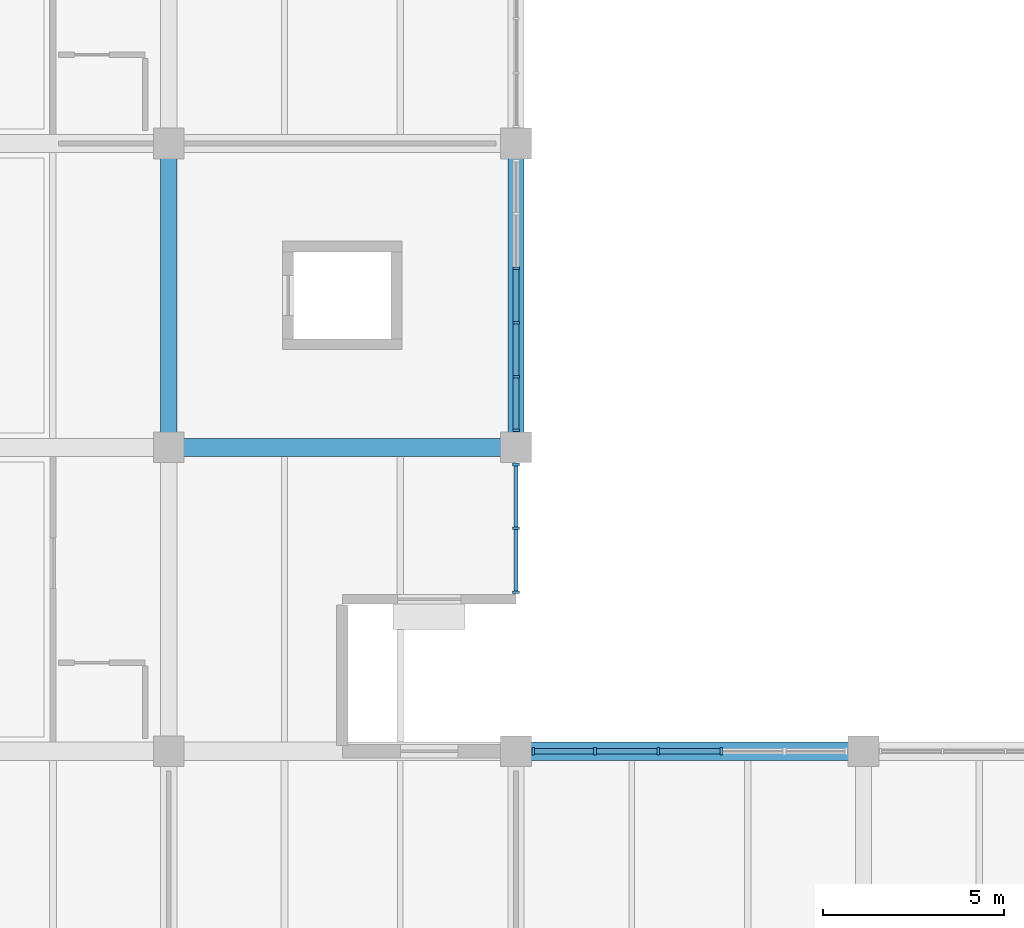
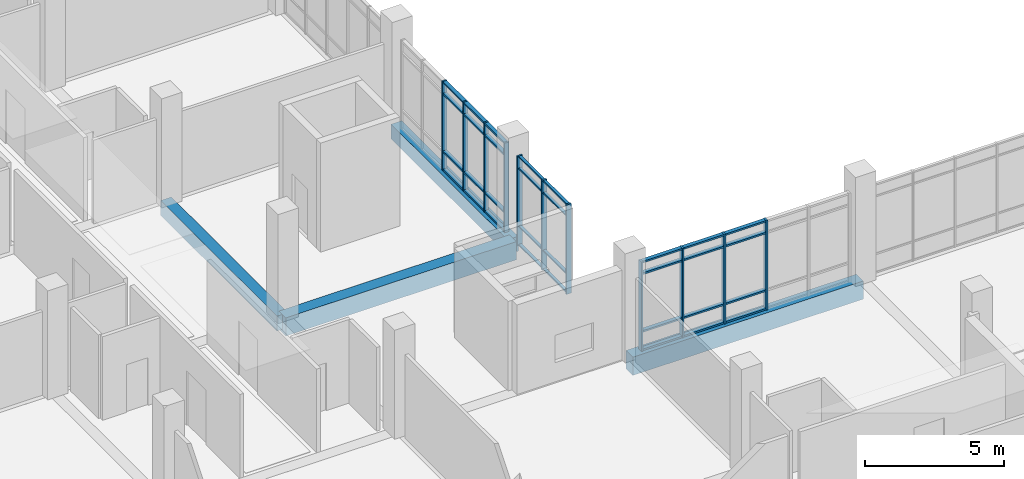
# One storey, part 16 of 152: 43 members, 4 beams, 3 elements without a shape of their own.
"""IFC4 building model written with IfcOpenShell, lengths in metres."""

from ifc_helpers import new_model, si_unit, direction, frame, origin, origin_2d, place, context, subcontext, project, spatial, rectangle, extrude, material, material_profile, profile_set, type_object, element, aggregate, save


model = new_model("IFC4")

# Units and contexts
model_context = context("Model", 3, precision=1e-05, world=origin(), true_north=direction((0.0, 1.0)))
body_context = subcontext(model_context, "Body", "Model", "MODEL_VIEW")
ifc_project = project(units=[si_unit("LENGTHUNIT", "METRE"), si_unit("AREAUNIT", "SQUARE_METRE"), si_unit("VOLUMEUNIT", "CUBIC_METRE"), si_unit("PLANEANGLEUNIT", "RADIAN"), si_unit("MASSUNIT", "GRAM", prefix="KILO")], contexts=[model_context])

# Site, building, storey
site_placement = place(None, origin())
site = spatial("IfcSite", under=ifc_project, at=site_placement, CompositionType="ELEMENT")
building_placement = place(site_placement, origin())
building = spatial("IfcBuilding", under=site, at=building_placement, Name="Oolite Switchyard Hospital", CompositionType="ELEMENT")
storey_placement = place(building_placement, frame((0.0, 0.0, 5.10009765625)))
storey = spatial("IfcBuildingStorey", under=building, at=storey_placement, Name="L01", CompositionType="ELEMENT", Elevation=5.10009765625)

# Beams
ifc_material_1 = material(Name="Concrete C40/50", Category="concrete")
ifc_material_profile_1 = material_profile(ifc_material_1, rectangle(XDim=0.449951171875, YDim=0.64990234375, at=origin_2d()), Name="RCB450X650")
ifc_profile_set_1 = profile_set([ifc_material_profile_1], Name="Concrete C40/50")
beam_type_1 = type_object("IfcBeamType", Name="BM-RC450X650", PredefinedType="BEAM", material=ifc_profile_set_1)
for number, where, z_axis, x_axis, name in (
    (1, (48.0, 42.0, -0.3251953125), (0.0, 1.0, 0.0), (-1.0, 0.0, 0.0), "L01 Y-Girder 371"),
    (2, (57.60009765625, 42.0, -0.3251953125), (0.0, 1.0, 0.0), (-1.0, 0.0, 0.0), "L01 Y-Girder 386"),
):
    element("IfcBeam", number, at=place(storey_placement, frame(where, z_axis=z_axis, x_axis=x_axis)), inside=storey, type_object=beam_type_1, Name=name, PredefinedType="BEAM", context=body_context, shape_type="SweptSolid", body=[
        extrude(rectangle(XDim=0.449951171875, YDim=0.64990234375, at=origin_2d()), origin(), (0.0, 0.0, 1.0), 8.39990234375),
    ])
ifc_material_profile_2 = material_profile(ifc_material_1, rectangle(XDim=0.5, YDim=0.800048828125, at=origin_2d()), Name="RCB500X800")
ifc_profile_set_2 = profile_set([ifc_material_profile_2], Name="Concrete C40/50")
beam_type_2 = type_object("IfcBeamType", Name="BM-RC500X800", PredefinedType="BEAM", material=ifc_profile_set_2)
beam_1_placement = place(storey_placement, frame((57.60009765625, 33.60009765625, -0.400146484375), z_axis=(1.0, 0.0, 0.0), x_axis=(0.0, 1.0, 0.0)))
element("IfcBeam", 3, at=beam_1_placement, inside=storey, type_object=beam_type_2, Name="L01 X-Girder 68", PredefinedType="BEAM", context=body_context, shape_type="SweptSolid", body=[
    extrude(rectangle(XDim=0.5, YDim=0.800048828125, at=origin_2d()), origin(), (0.0, 0.0, 1.0), 9.599853515625),
])
beam_2_placement = place(storey_placement, frame((48.0, 42.0, -0.400146484375), z_axis=(1.0, 0.0, 0.0), x_axis=(0.0, 1.0, 0.0)))
element("IfcBeam", 4, at=beam_2_placement, inside=storey, type_object=beam_type_2, Name="L01 X-Girder 89", PredefinedType="BEAM", context=body_context, shape_type="SweptSolid", body=[
    extrude(rectangle(XDim=0.5, YDim=0.800048828125, at=origin_2d()), origin(), (0.0, 0.0, 1.0), 9.60009765625),
])

# Curtain wall, members
ifc_material_2 = material(Name="Thermally broken aluminum frame with laminated impact glazing", Category="aluminium")
curtain_wall_type_1 = type_object("IfcCurtainWallType", Name="CW-UNIT-84X48", PredefinedType="USERDEFINED", material=ifc_material_2)
curtain_wall_1_placement = place(storey_placement, origin())
curtain_wall_1 = element("IfcCurtainWall", 5, at=curtain_wall_1_placement, inside=storey, type_object=curtain_wall_type_1, Name="L01 Unitised Curtain Wall 171", ObjectType="UNITISED", PredefinedType="USERDEFINED")
ifc_material_3 = material(Name="Aluminium 6063-T6", Category="aluminium")
ifc_material_profile_3 = material_profile(ifc_material_3, rectangle(XDim=0.179931640625, YDim=0.070068359375, at=origin_2d()), Name="CWM70X180")
ifc_profile_set_3 = profile_set([ifc_material_profile_3], Name="Aluminium 6063-T6")
member_type_1 = type_object("IfcMemberType", Name="CW-MUL-220", PredefinedType="MULLION", material=ifc_profile_set_3)
member_1_placement = place(storey_placement, frame((57.60009765625, 46.951904296875, 0.0), z_axis=(0.0, 0.0, 1.0), x_axis=(1.0, 0.0, 0.0)))
member_1 = element("IfcMember", 6, at=member_1_placement, type_object=member_type_1, Name="CW-07 mullion 3", PredefinedType="MULLION", context=body_context, shape_type="SweptSolid", body=[
    extrude(rectangle(XDim=0.179931640625, YDim=0.070068359375, at=origin_2d()), origin(), (0.0, 0.0, 1.0), 3.93994140625),
])
member_2_placement = place(storey_placement, frame((57.60009765625, 45.447998046875, 0.0), z_axis=(0.0, 0.0, 1.0), x_axis=(1.0, 0.0, 0.0)))
member_2 = element("IfcMember", 7, at=member_2_placement, type_object=member_type_1, Name="CW-07 mullion 4", PredefinedType="MULLION", context=body_context, shape_type="SweptSolid", body=[
    extrude(rectangle(XDim=0.179931640625, YDim=0.070068359375, at=origin_2d()), origin(), (0.0, 0.0, 1.0), 3.93994140625),
])
member_3_placement = place(storey_placement, frame((57.60009765625, 43.944091796875, 0.0), z_axis=(0.0, 0.0, 1.0), x_axis=(1.0, 0.0, 0.0)))
member_3 = element("IfcMember", 8, at=member_3_placement, type_object=member_type_1, Name="CW-07 mullion 5", PredefinedType="MULLION", context=body_context, shape_type="SweptSolid", body=[
    extrude(rectangle(XDim=0.179931640625, YDim=0.070068359375, at=origin_2d()), origin(), (0.0, 0.0, 1.0), 3.93994140625),
])
member_4_placement = place(storey_placement, frame((57.60009765625, 42.47509765625, 0.0), z_axis=(0.0, 0.0, 1.0), x_axis=(1.0, 0.0, 0.0)))
member_4 = element("IfcMember", 9, at=member_4_placement, type_object=member_type_1, Name="CW-07 mullion 6", PredefinedType="MULLION", context=body_context, shape_type="SweptSolid", body=[
    extrude(rectangle(XDim=0.179931640625, YDim=0.070068359375, at=origin_2d()), origin(), (0.0, 0.0, 1.0), 3.93994140625),
])

curtain_wall_type_2 = type_object("IfcCurtainWallType", Name="CW-UNIT-96X48", PredefinedType="USERDEFINED", material=ifc_material_2)
curtain_wall_2_placement = place(storey_placement, origin())
curtain_wall_2 = element("IfcCurtainWall", 10, at=curtain_wall_2_placement, inside=storey, type_object=curtain_wall_type_2, Name="L01 Unitised Curtain Wall 109", ObjectType="UNITISED", PredefinedType="USERDEFINED")
ifc_material_profile_4 = material_profile(ifc_material_3, rectangle(XDim=0.199951171875, YDim=0.074951171875, at=origin_2d()), Name="CWM75X200")
ifc_profile_set_4 = profile_set([ifc_material_profile_4], Name="Aluminium 6063-T6")
member_type_2 = type_object("IfcMemberType", Name="CW-MUL-260", PredefinedType="MULLION", material=ifc_profile_set_4)
member_5_placement = place(storey_placement, frame((58.077392578125, 33.60009765625, 0.0), z_axis=(0.0, 0.0, 1.0), x_axis=(0.0, 1.0, 0.0)))
member_5 = element("IfcMember", 11, at=member_5_placement, type_object=member_type_2, Name="CW-02 mullion 1", PredefinedType="MULLION", context=body_context, shape_type="SweptSolid", body=[
    extrude(rectangle(XDim=0.199951171875, YDim=0.074951171875, at=origin_2d()), origin(), (0.0, 0.0, 1.0), 3.93994140625),
])
member_6_placement = place(storey_placement, frame((59.783935546875, 33.60009765625, 0.0), z_axis=(0.0, 0.0, 1.0), x_axis=(0.0, 1.0, 0.0)))
member_6 = element("IfcMember", 12, at=member_6_placement, type_object=member_type_2, Name="CW-02 mullion 2", PredefinedType="MULLION", context=body_context, shape_type="SweptSolid", body=[
    extrude(rectangle(XDim=0.199951171875, YDim=0.074951171875, at=origin_2d()), origin(), (0.0, 0.0, 1.0), 3.93994140625),
])
member_7_placement = place(storey_placement, frame((61.528076171875, 33.60009765625, 0.0), z_axis=(0.0, 0.0, 1.0), x_axis=(0.0, 1.0, 0.0)))
member_7 = element("IfcMember", 13, at=member_7_placement, type_object=member_type_2, Name="CW-02 mullion 3", PredefinedType="MULLION", context=body_context, shape_type="SweptSolid", body=[
    extrude(rectangle(XDim=0.199951171875, YDim=0.074951171875, at=origin_2d()), origin(), (0.0, 0.0, 1.0), 3.93994140625),
])
member_8_placement = place(storey_placement, frame((63.27197265625, 33.60009765625, 0.0), z_axis=(0.0, 0.0, 1.0), x_axis=(0.0, 1.0, 0.0)))
member_8 = element("IfcMember", 14, at=member_8_placement, type_object=member_type_2, Name="CW-02 mullion 4", PredefinedType="MULLION", context=body_context, shape_type="SweptSolid", body=[
    extrude(rectangle(XDim=0.199951171875, YDim=0.074951171875, at=origin_2d()), origin(), (0.0, 0.0, 1.0), 3.93994140625),
])

curtain_wall_3_placement = place(storey_placement, origin())
curtain_wall_3 = element("IfcCurtainWall", 15, at=curtain_wall_3_placement, inside=storey, type_object=curtain_wall_type_1, Name="L01 Unitised Curtain Wall 172", ObjectType="UNITISED", PredefinedType="USERDEFINED")
member_9_placement = place(storey_placement, frame((57.60009765625, 41.5224609375, 0.0), z_axis=(0.0, 0.0, 1.0), x_axis=(1.0, 0.0, 0.0)))
member_9 = element("IfcMember", 16, at=member_9_placement, type_object=member_type_2, Name="CW-07 mullion 1", PredefinedType="MULLION", context=body_context, shape_type="SweptSolid", body=[
    extrude(rectangle(XDim=0.199951171875, YDim=0.074951171875, at=origin_2d()), origin(), (0.0, 0.0, 1.0), 3.93994140625),
])
member_10_placement = place(storey_placement, frame((57.60009765625, 39.760009765625, 0.0), z_axis=(0.0, 0.0, 1.0), x_axis=(1.0, 0.0, 0.0)))
member_10 = element("IfcMember", 17, at=member_10_placement, type_object=member_type_2, Name="CW-07 mullion 2", PredefinedType="MULLION", context=body_context, shape_type="SweptSolid", body=[
    extrude(rectangle(XDim=0.199951171875, YDim=0.074951171875, at=origin_2d()), origin(), (0.0, 0.0, 1.0), 3.93994140625),
])
member_11_placement = place(storey_placement, frame((57.60009765625, 37.99755859375, 0.0), z_axis=(0.0, 0.0, 1.0), x_axis=(1.0, 0.0, 0.0)))
member_11 = element("IfcMember", 18, at=member_11_placement, type_object=member_type_2, Name="CW-07 mullion 3", PredefinedType="MULLION", context=body_context, shape_type="SweptSolid", body=[
    extrude(rectangle(XDim=0.199951171875, YDim=0.074951171875, at=origin_2d()), origin(), (0.0, 0.0, 1.0), 3.93994140625),
])
ifc_material_profile_5 = material_profile(ifc_material_3, rectangle(XDim=0.1201171875, YDim=0.06005859375, at=origin_2d()), Name="CWT60X120")
ifc_profile_set_5 = profile_set([ifc_material_profile_5], Name="Aluminium 6063-T6")
member_type_3 = type_object("IfcMemberType", Name="CW-TRN-150", PredefinedType="USERDEFINED", material=ifc_profile_set_5)
member_12_placement = place(storey_placement, frame((57.60009765625, 41.485107421875, 0.02978515625), z_axis=(0.0, -1.0, 0.0), x_axis=(1.0, 0.0, 0.0)))
member_12 = element("IfcMember", 19, at=member_12_placement, type_object=member_type_3, Name="CW-07 transom 1.1", ObjectType="TRANSOM", PredefinedType="USERDEFINED", context=body_context, shape_type="SweptSolid", body=[
    extrude(rectangle(XDim=0.1201171875, YDim=0.06005859375, at=origin_2d()), origin(), (0.0, 0.0, 1.0), 1.6875),
])
member_13_placement = place(storey_placement, frame((57.60009765625, 41.485107421875, 0.849853515625), z_axis=(0.0, -1.0, 0.0), x_axis=(1.0, 0.0, 0.0)))
member_13 = element("IfcMember", 20, at=member_13_placement, type_object=member_type_3, Name="CW-07 transom 1.2", ObjectType="TRANSOM", PredefinedType="USERDEFINED", context=body_context, shape_type="SweptSolid", body=[
    extrude(rectangle(XDim=0.1201171875, YDim=0.06005859375, at=origin_2d()), origin(), (0.0, 0.0, 1.0), 1.6875),
])
member_14_placement = place(storey_placement, frame((57.60009765625, 41.485107421875, 3.389892578125), z_axis=(0.0, -1.0, 0.0), x_axis=(1.0, 0.0, 0.0)))
member_14 = element("IfcMember", 21, at=member_14_placement, type_object=member_type_3, Name="CW-07 transom 1.3", ObjectType="TRANSOM", PredefinedType="USERDEFINED", context=body_context, shape_type="SweptSolid", body=[
    extrude(rectangle(XDim=0.1201171875, YDim=0.06005859375, at=origin_2d()), origin(), (0.0, 0.0, 1.0), 1.6875),
])
member_15_placement = place(storey_placement, frame((57.60009765625, 41.485107421875, 3.909912109375), z_axis=(0.0, -1.0, 0.0), x_axis=(1.0, 0.0, 0.0)))
member_15 = element("IfcMember", 22, at=member_15_placement, type_object=member_type_3, Name="CW-07 transom 1.4", ObjectType="TRANSOM", PredefinedType="USERDEFINED", context=body_context, shape_type="SweptSolid", body=[
    extrude(rectangle(XDim=0.1201171875, YDim=0.06005859375, at=origin_2d()), origin(), (0.0, 0.0, 1.0), 1.6875),
])
member_16_placement = place(storey_placement, frame((57.60009765625, 39.722412109375, 0.02978515625), z_axis=(0.0, -1.0, 0.0), x_axis=(1.0, 0.0, 0.0)))
member_16 = element("IfcMember", 23, at=member_16_placement, type_object=member_type_3, Name="CW-07 transom 2.1", ObjectType="TRANSOM", PredefinedType="USERDEFINED", context=body_context, shape_type="SweptSolid", body=[
    extrude(rectangle(XDim=0.1201171875, YDim=0.06005859375, at=origin_2d()), origin(), (0.0, 0.0, 1.0), 1.6875),
])
member_17_placement = place(storey_placement, frame((57.60009765625, 39.722412109375, 0.849853515625), z_axis=(0.0, -1.0, 0.0), x_axis=(1.0, 0.0, 0.0)))
member_17 = element("IfcMember", 24, at=member_17_placement, type_object=member_type_3, Name="CW-07 transom 2.2", ObjectType="TRANSOM", PredefinedType="USERDEFINED", context=body_context, shape_type="SweptSolid", body=[
    extrude(rectangle(XDim=0.1201171875, YDim=0.06005859375, at=origin_2d()), origin(), (0.0, 0.0, 1.0), 1.6875),
])
member_18_placement = place(storey_placement, frame((57.60009765625, 39.722412109375, 3.389892578125), z_axis=(0.0, -1.0, 0.0), x_axis=(1.0, 0.0, 0.0)))
member_18 = element("IfcMember", 25, at=member_18_placement, type_object=member_type_3, Name="CW-07 transom 2.3", ObjectType="TRANSOM", PredefinedType="USERDEFINED", context=body_context, shape_type="SweptSolid", body=[
    extrude(rectangle(XDim=0.1201171875, YDim=0.06005859375, at=origin_2d()), origin(), (0.0, 0.0, 1.0), 1.6875),
])
member_19_placement = place(storey_placement, frame((57.60009765625, 39.722412109375, 3.909912109375), z_axis=(0.0, -1.0, 0.0), x_axis=(1.0, 0.0, 0.0)))
member_19 = element("IfcMember", 26, at=member_19_placement, type_object=member_type_3, Name="CW-07 transom 2.4", ObjectType="TRANSOM", PredefinedType="USERDEFINED", context=body_context, shape_type="SweptSolid", body=[
    extrude(rectangle(XDim=0.1201171875, YDim=0.06005859375, at=origin_2d()), origin(), (0.0, 0.0, 1.0), 1.6875),
])
aggregate(curtain_wall_3, [member_9, member_10, member_11, member_12, member_13, member_14, member_15, member_16, member_17, member_18, member_19])

# Member
ifc_material_profile_6 = material_profile(ifc_material_3, rectangle(XDim=0.159912109375, YDim=0.074951171875, at=origin_2d()), Name="CWT75X160")
ifc_profile_set_6 = profile_set([ifc_material_profile_6], Name="Aluminium 6063-T6")
member_type_4 = type_object("IfcMemberType", Name="CW-TRN-180", PredefinedType="USERDEFINED", material=ifc_profile_set_6)
member_20_placement = place(storey_placement, frame((58.114990234375, 33.60009765625, 0.037353515625), z_axis=(1.0, 0.0, 0.0), x_axis=(0.0, 1.0, 0.0)))
member_20 = element("IfcMember", 27, at=member_20_placement, type_object=member_type_4, Name="CW-02 transom 1.1", ObjectType="TRANSOM", PredefinedType="USERDEFINED", context=body_context, shape_type="SweptSolid", body=[
    extrude(rectangle(XDim=0.159912109375, YDim=0.074951171875, at=origin_2d()), origin(), (0.0, 0.0, 1.0), 1.631591796875),
])

member_21_placement = place(storey_placement, frame((58.114990234375, 33.60009765625, 0.849853515625), z_axis=(1.0, 0.0, 0.0), x_axis=(0.0, 1.0, 0.0)))
member_21 = element("IfcMember", 28, at=member_21_placement, type_object=member_type_4, Name="CW-02 transom 1.2", ObjectType="TRANSOM", PredefinedType="USERDEFINED", context=body_context, shape_type="SweptSolid", body=[
    extrude(rectangle(XDim=0.159912109375, YDim=0.074951171875, at=origin_2d()), origin(), (0.0, 0.0, 1.0), 1.631591796875),
])

member_22_placement = place(storey_placement, frame((58.114990234375, 33.60009765625, 3.389892578125), z_axis=(1.0, 0.0, 0.0), x_axis=(0.0, 1.0, 0.0)))
member_22 = element("IfcMember", 29, at=member_22_placement, type_object=member_type_4, Name="CW-02 transom 1.3", ObjectType="TRANSOM", PredefinedType="USERDEFINED", context=body_context, shape_type="SweptSolid", body=[
    extrude(rectangle(XDim=0.159912109375, YDim=0.074951171875, at=origin_2d()), origin(), (0.0, 0.0, 1.0), 1.631591796875),
])

member_23_placement = place(storey_placement, frame((58.114990234375, 33.60009765625, 3.90234375), z_axis=(1.0, 0.0, 0.0), x_axis=(0.0, 1.0, 0.0)))
member_23 = element("IfcMember", 30, at=member_23_placement, type_object=member_type_4, Name="CW-02 transom 1.4", ObjectType="TRANSOM", PredefinedType="USERDEFINED", context=body_context, shape_type="SweptSolid", body=[
    extrude(rectangle(XDim=0.159912109375, YDim=0.074951171875, at=origin_2d()), origin(), (0.0, 0.0, 1.0), 1.631591796875),
])

member_24_placement = place(storey_placement, frame((59.821533203125, 33.60009765625, 0.037353515625), z_axis=(1.0, 0.0, 0.0), x_axis=(0.0, 1.0, 0.0)))
member_24 = element("IfcMember", 31, at=member_24_placement, type_object=member_type_4, Name="CW-02 transom 2.1", ObjectType="TRANSOM", PredefinedType="USERDEFINED", context=body_context, shape_type="SweptSolid", body=[
    extrude(rectangle(XDim=0.159912109375, YDim=0.074951171875, at=origin_2d()), origin(), (0.0, 0.0, 1.0), 1.6689453125),
])

member_25_placement = place(storey_placement, frame((59.821533203125, 33.60009765625, 0.849853515625), z_axis=(1.0, 0.0, 0.0), x_axis=(0.0, 1.0, 0.0)))
member_25 = element("IfcMember", 32, at=member_25_placement, type_object=member_type_4, Name="CW-02 transom 2.2", ObjectType="TRANSOM", PredefinedType="USERDEFINED", context=body_context, shape_type="SweptSolid", body=[
    extrude(rectangle(XDim=0.159912109375, YDim=0.074951171875, at=origin_2d()), origin(), (0.0, 0.0, 1.0), 1.6689453125),
])

member_26_placement = place(storey_placement, frame((59.821533203125, 33.60009765625, 3.389892578125), z_axis=(1.0, 0.0, 0.0), x_axis=(0.0, 1.0, 0.0)))
member_26 = element("IfcMember", 33, at=member_26_placement, type_object=member_type_4, Name="CW-02 transom 2.3", ObjectType="TRANSOM", PredefinedType="USERDEFINED", context=body_context, shape_type="SweptSolid", body=[
    extrude(rectangle(XDim=0.159912109375, YDim=0.074951171875, at=origin_2d()), origin(), (0.0, 0.0, 1.0), 1.6689453125),
])

member_27_placement = place(storey_placement, frame((59.821533203125, 33.60009765625, 3.90234375), z_axis=(1.0, 0.0, 0.0), x_axis=(0.0, 1.0, 0.0)))
member_27 = element("IfcMember", 34, at=member_27_placement, type_object=member_type_4, Name="CW-02 transom 2.4", ObjectType="TRANSOM", PredefinedType="USERDEFINED", context=body_context, shape_type="SweptSolid", body=[
    extrude(rectangle(XDim=0.159912109375, YDim=0.074951171875, at=origin_2d()), origin(), (0.0, 0.0, 1.0), 1.6689453125),
])

member_28_placement = place(storey_placement, frame((61.5654296875, 33.60009765625, 0.037353515625), z_axis=(1.0, 0.0, 0.0), x_axis=(0.0, 1.0, 0.0)))
member_28 = element("IfcMember", 35, at=member_28_placement, type_object=member_type_4, Name="CW-02 transom 3.1", ObjectType="TRANSOM", PredefinedType="USERDEFINED", context=body_context, shape_type="SweptSolid", body=[
    extrude(rectangle(XDim=0.159912109375, YDim=0.074951171875, at=origin_2d()), origin(), (0.0, 0.0, 1.0), 1.669189453125),
])

member_29_placement = place(storey_placement, frame((61.5654296875, 33.60009765625, 0.849853515625), z_axis=(1.0, 0.0, 0.0), x_axis=(0.0, 1.0, 0.0)))
member_29 = element("IfcMember", 36, at=member_29_placement, type_object=member_type_4, Name="CW-02 transom 3.2", ObjectType="TRANSOM", PredefinedType="USERDEFINED", context=body_context, shape_type="SweptSolid", body=[
    extrude(rectangle(XDim=0.159912109375, YDim=0.074951171875, at=origin_2d()), origin(), (0.0, 0.0, 1.0), 1.669189453125),
])

member_30_placement = place(storey_placement, frame((61.5654296875, 33.60009765625, 3.389892578125), z_axis=(1.0, 0.0, 0.0), x_axis=(0.0, 1.0, 0.0)))
member_30 = element("IfcMember", 37, at=member_30_placement, type_object=member_type_4, Name="CW-02 transom 3.3", ObjectType="TRANSOM", PredefinedType="USERDEFINED", context=body_context, shape_type="SweptSolid", body=[
    extrude(rectangle(XDim=0.159912109375, YDim=0.074951171875, at=origin_2d()), origin(), (0.0, 0.0, 1.0), 1.669189453125),
])

member_31_placement = place(storey_placement, frame((61.5654296875, 33.60009765625, 3.90234375), z_axis=(1.0, 0.0, 0.0), x_axis=(0.0, 1.0, 0.0)))
member_31 = element("IfcMember", 38, at=member_31_placement, type_object=member_type_4, Name="CW-02 transom 3.4", ObjectType="TRANSOM", PredefinedType="USERDEFINED", context=body_context, shape_type="SweptSolid", body=[
    extrude(rectangle(XDim=0.159912109375, YDim=0.074951171875, at=origin_2d()), origin(), (0.0, 0.0, 1.0), 1.669189453125),
])

aggregate(curtain_wall_2, [member_5, member_6, member_7, member_8, member_20, member_21, member_22, member_23, member_24, member_25, member_26, member_27, member_28, member_29, member_30, member_31])

member_32_placement = place(storey_placement, frame((57.60009765625, 46.9169921875, 0.037353515625), z_axis=(0.0, -1.0, 0.0), x_axis=(1.0, 0.0, 0.0)))
member_32 = element("IfcMember", 39, at=member_32_placement, type_object=member_type_4, Name="CW-07 transom 3.1", ObjectType="TRANSOM", PredefinedType="USERDEFINED", context=body_context, shape_type="SweptSolid", body=[
    extrude(rectangle(XDim=0.159912109375, YDim=0.074951171875, at=origin_2d()), origin(), (0.0, 0.0, 1.0), 1.43408203125),
])

member_33_placement = place(storey_placement, frame((57.60009765625, 46.9169921875, 0.849853515625), z_axis=(0.0, -1.0, 0.0), x_axis=(1.0, 0.0, 0.0)))
member_33 = element("IfcMember", 40, at=member_33_placement, type_object=member_type_4, Name="CW-07 transom 3.2", ObjectType="TRANSOM", PredefinedType="USERDEFINED", context=body_context, shape_type="SweptSolid", body=[
    extrude(rectangle(XDim=0.159912109375, YDim=0.074951171875, at=origin_2d()), origin(), (0.0, 0.0, 1.0), 1.43408203125),
])

member_34_placement = place(storey_placement, frame((57.60009765625, 46.9169921875, 3.389892578125), z_axis=(0.0, -1.0, 0.0), x_axis=(1.0, 0.0, 0.0)))
member_34 = element("IfcMember", 41, at=member_34_placement, type_object=member_type_4, Name="CW-07 transom 3.3", ObjectType="TRANSOM", PredefinedType="USERDEFINED", context=body_context, shape_type="SweptSolid", body=[
    extrude(rectangle(XDim=0.159912109375, YDim=0.074951171875, at=origin_2d()), origin(), (0.0, 0.0, 1.0), 1.43408203125),
])

member_35_placement = place(storey_placement, frame((57.60009765625, 46.9169921875, 3.90234375), z_axis=(0.0, -1.0, 0.0), x_axis=(1.0, 0.0, 0.0)))
member_35 = element("IfcMember", 42, at=member_35_placement, type_object=member_type_4, Name="CW-07 transom 3.4", ObjectType="TRANSOM", PredefinedType="USERDEFINED", context=body_context, shape_type="SweptSolid", body=[
    extrude(rectangle(XDim=0.159912109375, YDim=0.074951171875, at=origin_2d()), origin(), (0.0, 0.0, 1.0), 1.43408203125),
])

member_36_placement = place(storey_placement, frame((57.60009765625, 45.4130859375, 0.037353515625), z_axis=(0.0, -1.0, 0.0), x_axis=(1.0, 0.0, 0.0)))
member_36 = element("IfcMember", 43, at=member_36_placement, type_object=member_type_4, Name="CW-07 transom 4.1", ObjectType="TRANSOM", PredefinedType="USERDEFINED", context=body_context, shape_type="SweptSolid", body=[
    extrude(rectangle(XDim=0.159912109375, YDim=0.074951171875, at=origin_2d()), origin(), (0.0, 0.0, 1.0), 1.43408203125),
])

member_37_placement = place(storey_placement, frame((57.60009765625, 45.4130859375, 0.849853515625), z_axis=(0.0, -1.0, 0.0), x_axis=(1.0, 0.0, 0.0)))
member_37 = element("IfcMember", 44, at=member_37_placement, type_object=member_type_4, Name="CW-07 transom 4.2", ObjectType="TRANSOM", PredefinedType="USERDEFINED", context=body_context, shape_type="SweptSolid", body=[
    extrude(rectangle(XDim=0.159912109375, YDim=0.074951171875, at=origin_2d()), origin(), (0.0, 0.0, 1.0), 1.43408203125),
])

member_38_placement = place(storey_placement, frame((57.60009765625, 45.4130859375, 3.389892578125), z_axis=(0.0, -1.0, 0.0), x_axis=(1.0, 0.0, 0.0)))
member_38 = element("IfcMember", 45, at=member_38_placement, type_object=member_type_4, Name="CW-07 transom 4.3", ObjectType="TRANSOM", PredefinedType="USERDEFINED", context=body_context, shape_type="SweptSolid", body=[
    extrude(rectangle(XDim=0.159912109375, YDim=0.074951171875, at=origin_2d()), origin(), (0.0, 0.0, 1.0), 1.43408203125),
])

member_39_placement = place(storey_placement, frame((57.60009765625, 45.4130859375, 3.90234375), z_axis=(0.0, -1.0, 0.0), x_axis=(1.0, 0.0, 0.0)))
member_39 = element("IfcMember", 46, at=member_39_placement, type_object=member_type_4, Name="CW-07 transom 4.4", ObjectType="TRANSOM", PredefinedType="USERDEFINED", context=body_context, shape_type="SweptSolid", body=[
    extrude(rectangle(XDim=0.159912109375, YDim=0.074951171875, at=origin_2d()), origin(), (0.0, 0.0, 1.0), 1.43408203125),
])

member_40_placement = place(storey_placement, frame((57.60009765625, 43.908935546875, 0.037353515625), z_axis=(0.0, -1.0, 0.0), x_axis=(1.0, 0.0, 0.0)))
member_40 = element("IfcMember", 47, at=member_40_placement, type_object=member_type_4, Name="CW-07 transom 5.1", ObjectType="TRANSOM", PredefinedType="USERDEFINED", context=body_context, shape_type="SweptSolid", body=[
    extrude(rectangle(XDim=0.159912109375, YDim=0.074951171875, at=origin_2d()), origin(), (0.0, 0.0, 1.0), 1.39892578125),
])

member_41_placement = place(storey_placement, frame((57.60009765625, 43.908935546875, 0.849853515625), z_axis=(0.0, -1.0, 0.0), x_axis=(1.0, 0.0, 0.0)))
member_41 = element("IfcMember", 48, at=member_41_placement, type_object=member_type_4, Name="CW-07 transom 5.2", ObjectType="TRANSOM", PredefinedType="USERDEFINED", context=body_context, shape_type="SweptSolid", body=[
    extrude(rectangle(XDim=0.159912109375, YDim=0.074951171875, at=origin_2d()), origin(), (0.0, 0.0, 1.0), 1.39892578125),
])

member_42_placement = place(storey_placement, frame((57.60009765625, 43.908935546875, 3.389892578125), z_axis=(0.0, -1.0, 0.0), x_axis=(1.0, 0.0, 0.0)))
member_42 = element("IfcMember", 49, at=member_42_placement, type_object=member_type_4, Name="CW-07 transom 5.3", ObjectType="TRANSOM", PredefinedType="USERDEFINED", context=body_context, shape_type="SweptSolid", body=[
    extrude(rectangle(XDim=0.159912109375, YDim=0.074951171875, at=origin_2d()), origin(), (0.0, 0.0, 1.0), 1.39892578125),
])

member_43_placement = place(storey_placement, frame((57.60009765625, 43.908935546875, 3.90234375), z_axis=(0.0, -1.0, 0.0), x_axis=(1.0, 0.0, 0.0)))
member_43 = element("IfcMember", 50, at=member_43_placement, type_object=member_type_4, Name="CW-07 transom 5.4", ObjectType="TRANSOM", PredefinedType="USERDEFINED", context=body_context, shape_type="SweptSolid", body=[
    extrude(rectangle(XDim=0.159912109375, YDim=0.074951171875, at=origin_2d()), origin(), (0.0, 0.0, 1.0), 1.39892578125),
])

aggregate(curtain_wall_1, [member_1, member_2, member_3, member_4, member_32, member_33, member_34, member_35, member_36, member_37, member_38, member_39, member_40, member_41, member_42, member_43])

save(model, "model.ifc")
